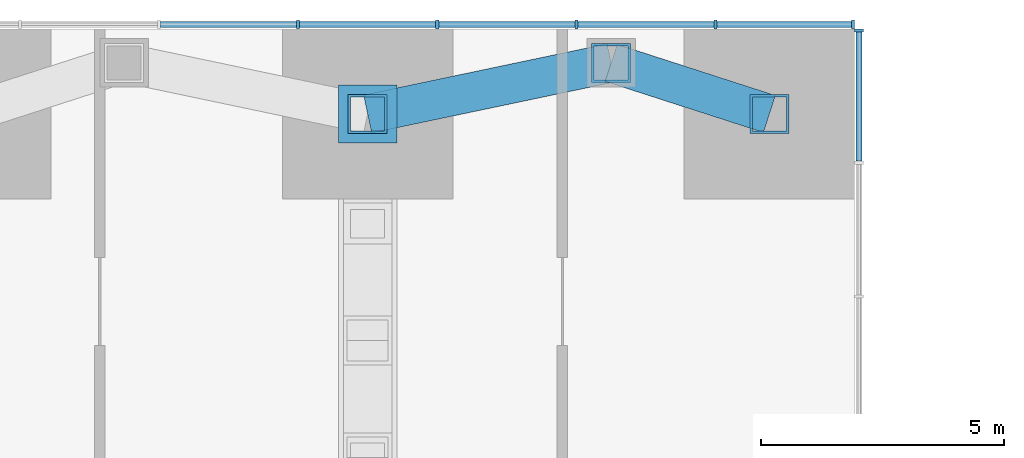
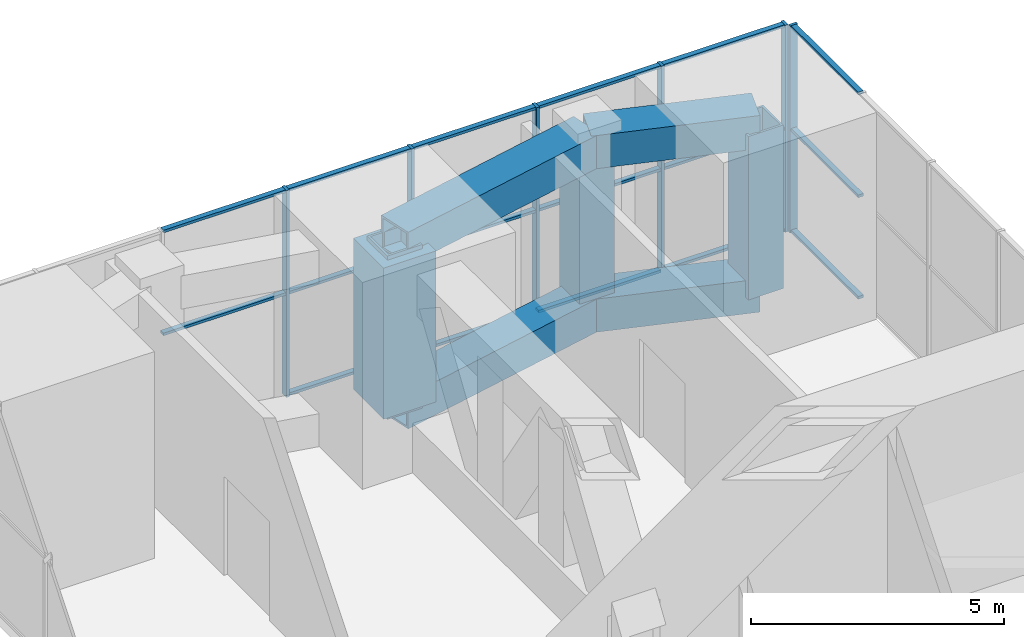
# One storey, part 7 of 12: 31 members, 2 elements without a shape of their own.
"""IFC4 building model written with IfcOpenShell, lengths in metres."""

from ifc_helpers import new_model, si_unit, direction, frame, origin, origin_2d, place, context, subcontext, project, spatial, rectangle, hollow_rectangle, extrude, material, material_profile, profile_set, type_object, element, aggregate, save


model = new_model("IFC4")

# Units and contexts
model_context = context("Model", 3, precision=1e-05, world=origin(), true_north=direction((0.0, 1.0)))
body_context = subcontext(model_context, "Body", "Model", "MODEL_VIEW")
ifc_project = project(units=[si_unit("LENGTHUNIT", "METRE"), si_unit("AREAUNIT", "SQUARE_METRE"), si_unit("VOLUMEUNIT", "CUBIC_METRE"), si_unit("PLANEANGLEUNIT", "RADIAN"), si_unit("MASSUNIT", "GRAM", prefix="KILO")], contexts=[model_context])

# Site, building, storey
site_placement = place(None, origin())
site = spatial("IfcSite", under=ifc_project, at=site_placement, CompositionType="ELEMENT")
building_placement = place(site_placement, origin())
building = spatial("IfcBuilding", under=site, at=building_placement, Name="Svetlomir Tower", CompositionType="ELEMENT")
storey_placement = place(building_placement, frame((0.0, 0.0, 234.5)))
storey = spatial("IfcBuildingStorey", under=building, at=storey_placement, Name="L56", CompositionType="ELEMENT", Elevation=234.5)

# Members
ifc_material_1 = material(Name="Steel S355", Category="steel")
ifc_material_profile_1 = material_profile(ifc_material_1, hollow_rectangle(XDim=0.800048828125, YDim=0.800048828125, WallThickness=0.050048828125, at=origin_2d()), Name="BOX 800x800x50")
ifc_profile_set_1 = profile_set([ifc_material_profile_1], Name="Steel S355")
member_type_1 = type_object("IfcMemberType", Name="BELT FRAME CHORD BOX 800x800x50", PredefinedType="CHORD", material=ifc_profile_set_1)
for number, where, z_axis, x_axis, name in (
    (1, (21.0, 40.25, 0.39990234375), (0.978651574329, 0.205526387753, 0.0), (-0.205526387753, 0.978651574329, 0.0), "Belt frame N L56 bottom chord 3"),
    (2, (21.0, 40.25, 4.35009765625), (0.978651574329, 0.205526387753, 0.0), (-0.205526387753, 0.978651574329, 0.0), "Belt frame N L56 top chord 3"),
):
    element("IfcMember", number, at=place(storey_placement, frame(where, z_axis=z_axis, x_axis=x_axis)), inside=storey, type_object=member_type_1, Name=name, PredefinedType="CHORD", context=body_context, shape_type="SweptSolid", body=[
        extrude(hollow_rectangle(XDim=0.800048828125, YDim=0.800048828125, WallThickness=0.050048828125, at=origin_2d()), origin(), (0.0, 0.0, 1.0), 5.109130859375),
    ])
for number, where, z_axis, x_axis, name in (
    (3, (26.0, 41.300048828125, 0.39990234375), (0.951566360503, -0.307443428225, 0.0), (0.307443428225, 0.951566360503, 0.0), "Belt frame N L56 bottom chord 4"),
    (4, (26.0, 41.300048828125, 4.35009765625), (0.951566360503, -0.307443428225, 0.0), (0.307443428225, 0.951566360503, 0.0), "Belt frame N L56 top chord 4"),
):
    element("IfcMember", number, at=place(storey_placement, frame(where, z_axis=z_axis, x_axis=x_axis)), inside=storey, type_object=member_type_1, Name=name, PredefinedType="CHORD", context=body_context, shape_type="SweptSolid", body=[
        extrude(hollow_rectangle(XDim=0.800048828125, YDim=0.800048828125, WallThickness=0.050048828125, at=origin_2d()), origin(), (0.0, 0.0, 1.0), 3.41552734375),
    ])
ifc_material_2 = material(Name="Steel S355", Category="steel")
ifc_material_profile_2 = material_profile(ifc_material_2, hollow_rectangle(XDim=0.800048828125, YDim=0.800048828125, WallThickness=0.050048828125, at=origin_2d()), Name="BOX 800x800x50")
ifc_profile_set_2 = profile_set([ifc_material_profile_2], Name="Steel S355")
member_type_2 = type_object("IfcMemberType", Name="BELT FRAME POST BOX 800x800x50", PredefinedType="POST", material=ifc_profile_set_2)
for number, where, z_axis, x_axis, name in (
    (5, (21.0, 40.25, 0.39990234375), (0.0, 0.0, 1.0), (1.0, 0.0, 0.0), "Belt frame N L56 post 3"),
    (6, (26.0, 41.300048828125, 0.39990234375), (0.0, 0.0, 1.0), (1.0, 0.0, 0.0), "Belt frame N L56 post 4"),
    (7, (29.25, 40.25, 0.39990234375), (0.0, 0.0, 1.0), (1.0, 0.0, 0.0), "Belt frame N L56 post 5"),
):
    element("IfcMember", number, at=place(storey_placement, frame(where, z_axis=z_axis, x_axis=x_axis)), inside=storey, type_object=member_type_2, Name=name, PredefinedType="POST", context=body_context, shape_type="SweptSolid", body=[
        extrude(hollow_rectangle(XDim=0.800048828125, YDim=0.800048828125, WallThickness=0.050048828125, at=origin_2d()), origin(), (0.0, 0.0, 1.0), 3.9501953125),
    ])

# Curtain wall, member
ifc_material_3 = material(Name="Bronze anodised aluminium curtain wall", Category="aluminium")
curtain_wall_type = type_object("IfcCurtainWallType", Name="CURTAIN WALL CW3 PLANT LOUVRE", PredefinedType="NOTDEFINED", material=ifc_material_3)
curtain_wall_1_placement = place(storey_placement, origin())
curtain_wall_1 = element("IfcCurtainWall", 8, at=curtain_wall_1_placement, inside=storey, type_object=curtain_wall_type, Name="Curtain wall CW3 L56", PredefinedType="NOTDEFINED")
ifc_material_4 = material(Name="Bronze anodised aluminium", Category="aluminium")
ifc_material_profile_3 = material_profile(ifc_material_4, rectangle(XDim=0.06494140625, YDim=0.179931640625, at=origin_2d()), Name="AL 65x180")
ifc_profile_set_3 = profile_set([ifc_material_profile_3], Name="Bronze anodised aluminium 6063-T6")
member_type_3 = type_object("IfcMemberType", Name="CW3 MULLION 65x180", PredefinedType="MULLION", material=ifc_profile_set_3)
member_1_placement = place(storey_placement, frame((31.090087890625, 41.967529296875, 0.0), z_axis=(0.0, 0.0, 1.0), x_axis=(0.0, 1.0, 0.0)))
member_1 = element("IfcMember", 9, at=member_1_placement, type_object=member_type_3, Name="CW3 mullion 5", PredefinedType="MULLION", context=body_context, shape_type="SweptSolid", body=[
    extrude(rectangle(XDim=0.06494140625, YDim=0.179931640625, at=origin_2d()), origin(), (0.0, 0.0, 1.0), 5.0),
])

# Curtain wall, members
curtain_wall_2_placement = place(storey_placement, origin())
curtain_wall_2 = element("IfcCurtainWall", 10, at=curtain_wall_2_placement, inside=storey, type_object=curtain_wall_type, Name="Curtain wall CW3 L56", PredefinedType="NOTDEFINED")
member_2_placement = place(storey_placement, frame((30.967529296875, 42.090087890625, 0.0), z_axis=(0.0, 0.0, 1.0), x_axis=(-1.0, 0.0, 0.0)))
member_2 = element("IfcMember", 11, at=member_2_placement, type_object=member_type_3, Name="CW3 mullion 1", PredefinedType="MULLION", context=body_context, shape_type="SweptSolid", body=[
    extrude(rectangle(XDim=0.06494140625, YDim=0.179931640625, at=origin_2d()), origin(), (0.0, 0.0, 1.0), 5.0),
])
member_3_placement = place(storey_placement, frame((28.142822265625, 42.090087890625, 0.0), z_axis=(0.0, 0.0, 1.0), x_axis=(-1.0, 0.0, 0.0)))
member_3 = element("IfcMember", 12, at=member_3_placement, type_object=member_type_3, Name="CW3 mullion 2", PredefinedType="MULLION", context=body_context, shape_type="SweptSolid", body=[
    extrude(rectangle(XDim=0.06494140625, YDim=0.179931640625, at=origin_2d()), origin(), (0.0, 0.0, 1.0), 5.0),
])
member_4_placement = place(storey_placement, frame((25.28564453125, 42.090087890625, 0.0), z_axis=(0.0, 0.0, 1.0), x_axis=(-1.0, 0.0, 0.0)))
member_4 = element("IfcMember", 13, at=member_4_placement, type_object=member_type_3, Name="CW3 mullion 3", PredefinedType="MULLION", context=body_context, shape_type="SweptSolid", body=[
    extrude(rectangle(XDim=0.06494140625, YDim=0.179931640625, at=origin_2d()), origin(), (0.0, 0.0, 1.0), 5.0),
])
member_5_placement = place(storey_placement, frame((22.428466796875, 42.090087890625, 0.0), z_axis=(0.0, 0.0, 1.0), x_axis=(-1.0, 0.0, 0.0)))
member_5 = element("IfcMember", 14, at=member_5_placement, type_object=member_type_3, Name="CW3 mullion 4", PredefinedType="MULLION", context=body_context, shape_type="SweptSolid", body=[
    extrude(rectangle(XDim=0.06494140625, YDim=0.179931640625, at=origin_2d()), origin(), (0.0, 0.0, 1.0), 5.0),
])
member_6_placement = place(storey_placement, frame((19.571533203125, 42.090087890625, 0.0), z_axis=(0.0, 0.0, 1.0), x_axis=(-1.0, 0.0, 0.0)))
member_6 = element("IfcMember", 15, at=member_6_placement, type_object=member_type_3, Name="CW3 mullion 5", PredefinedType="MULLION", context=body_context, shape_type="SweptSolid", body=[
    extrude(rectangle(XDim=0.06494140625, YDim=0.179931640625, at=origin_2d()), origin(), (0.0, 0.0, 1.0), 5.0),
])

# Member
ifc_material_5 = material(Name="Bronze anodised aluminium", Category="aluminium")
ifc_material_profile_4 = material_profile(ifc_material_5, rectangle(XDim=0.1201171875, YDim=0.06494140625, at=origin_2d()), Name="AL 120x65")
ifc_profile_set_4 = profile_set([ifc_material_profile_4], Name="Bronze anodised aluminium 6063-T6")
member_type_4 = type_object("IfcMemberType", Name="CW3 TRANSOM 65x120", PredefinedType="USERDEFINED", material=ifc_profile_set_4)
member_7_placement = place(storey_placement, frame((31.090087890625, 39.282470703125, 0.032470703125), z_axis=(0.0, 1.0, 0.0), x_axis=(-1.0, 0.0, 0.0)))
member_7 = element("IfcMember", 16, at=member_7_placement, type_object=member_type_4, Name="CW3 transom 4.1", ObjectType="TRANSOM", PredefinedType="USERDEFINED", context=body_context, shape_type="SweptSolid", body=[
    extrude(rectangle(XDim=0.1201171875, YDim=0.06494140625, at=origin_2d()), origin(), (0.0, 0.0, 1.0), 2.652587890625),
])

member_8_placement = place(storey_placement, frame((31.090087890625, 39.282470703125, 2.483642578125), z_axis=(0.0, 1.0, 0.0), x_axis=(-1.0, 0.0, 0.0)))
member_8 = element("IfcMember", 17, at=member_8_placement, type_object=member_type_4, Name="CW3 transom 4.2", ObjectType="TRANSOM", PredefinedType="USERDEFINED", context=body_context, shape_type="SweptSolid", body=[
    extrude(rectangle(XDim=0.1201171875, YDim=0.06494140625, at=origin_2d()), origin(), (0.0, 0.0, 1.0), 2.652587890625),
])

member_9_placement = place(storey_placement, frame((31.090087890625, 39.282470703125, 4.967529296875), z_axis=(0.0, 1.0, 0.0), x_axis=(-1.0, 0.0, 0.0)))
member_9 = element("IfcMember", 18, at=member_9_placement, type_object=member_type_4, Name="CW3 transom 4.3", ObjectType="TRANSOM", PredefinedType="USERDEFINED", context=body_context, shape_type="SweptSolid", body=[
    extrude(rectangle(XDim=0.1201171875, YDim=0.06494140625, at=origin_2d()), origin(), (0.0, 0.0, 1.0), 2.652587890625),
])

aggregate(curtain_wall_1, [member_1, member_7, member_8, member_9])

member_10_placement = place(storey_placement, frame((30.93505859375, 42.090087890625, 0.032470703125), z_axis=(-1.0, 0.0, 0.0), x_axis=(0.0, -1.0, 0.0)))
member_10 = element("IfcMember", 19, at=member_10_placement, type_object=member_type_4, Name="CW3 transom 1.1", ObjectType="TRANSOM", PredefinedType="USERDEFINED", context=body_context, shape_type="SweptSolid", body=[
    extrude(rectangle(XDim=0.1201171875, YDim=0.06494140625, at=origin_2d()), origin(), (0.0, 0.0, 1.0), 2.759765625),
])

member_11_placement = place(storey_placement, frame((30.93505859375, 42.090087890625, 2.483642578125), z_axis=(-1.0, 0.0, 0.0), x_axis=(0.0, -1.0, 0.0)))
member_11 = element("IfcMember", 20, at=member_11_placement, type_object=member_type_4, Name="CW3 transom 1.2", ObjectType="TRANSOM", PredefinedType="USERDEFINED", context=body_context, shape_type="SweptSolid", body=[
    extrude(rectangle(XDim=0.1201171875, YDim=0.06494140625, at=origin_2d()), origin(), (0.0, 0.0, 1.0), 2.759765625),
])

member_12_placement = place(storey_placement, frame((30.93505859375, 42.090087890625, 4.967529296875), z_axis=(-1.0, 0.0, 0.0), x_axis=(0.0, -1.0, 0.0)))
member_12 = element("IfcMember", 21, at=member_12_placement, type_object=member_type_4, Name="CW3 transom 1.3", ObjectType="TRANSOM", PredefinedType="USERDEFINED", context=body_context, shape_type="SweptSolid", body=[
    extrude(rectangle(XDim=0.1201171875, YDim=0.06494140625, at=origin_2d()), origin(), (0.0, 0.0, 1.0), 2.759765625),
])

member_13_placement = place(storey_placement, frame((28.1103515625, 42.090087890625, 0.032470703125), z_axis=(-1.0, 0.0, 0.0), x_axis=(0.0, -1.0, 0.0)))
member_13 = element("IfcMember", 22, at=member_13_placement, type_object=member_type_4, Name="CW3 transom 2.1", ObjectType="TRANSOM", PredefinedType="USERDEFINED", context=body_context, shape_type="SweptSolid", body=[
    extrude(rectangle(XDim=0.1201171875, YDim=0.06494140625, at=origin_2d()), origin(), (0.0, 0.0, 1.0), 2.792236328125),
])

member_14_placement = place(storey_placement, frame((28.1103515625, 42.090087890625, 2.483642578125), z_axis=(-1.0, 0.0, 0.0), x_axis=(0.0, -1.0, 0.0)))
member_14 = element("IfcMember", 23, at=member_14_placement, type_object=member_type_4, Name="CW3 transom 2.2", ObjectType="TRANSOM", PredefinedType="USERDEFINED", context=body_context, shape_type="SweptSolid", body=[
    extrude(rectangle(XDim=0.1201171875, YDim=0.06494140625, at=origin_2d()), origin(), (0.0, 0.0, 1.0), 2.792236328125),
])

member_15_placement = place(storey_placement, frame((28.1103515625, 42.090087890625, 4.967529296875), z_axis=(-1.0, 0.0, 0.0), x_axis=(0.0, -1.0, 0.0)))
member_15 = element("IfcMember", 24, at=member_15_placement, type_object=member_type_4, Name="CW3 transom 2.3", ObjectType="TRANSOM", PredefinedType="USERDEFINED", context=body_context, shape_type="SweptSolid", body=[
    extrude(rectangle(XDim=0.1201171875, YDim=0.06494140625, at=origin_2d()), origin(), (0.0, 0.0, 1.0), 2.792236328125),
])

member_16_placement = place(storey_placement, frame((25.253173828125, 42.090087890625, 0.032470703125), z_axis=(-1.0, 0.0, 0.0), x_axis=(0.0, -1.0, 0.0)))
member_16 = element("IfcMember", 25, at=member_16_placement, type_object=member_type_4, Name="CW3 transom 3.1", ObjectType="TRANSOM", PredefinedType="USERDEFINED", context=body_context, shape_type="SweptSolid", body=[
    extrude(rectangle(XDim=0.1201171875, YDim=0.06494140625, at=origin_2d()), origin(), (0.0, 0.0, 1.0), 2.7919921875),
])

member_17_placement = place(storey_placement, frame((25.253173828125, 42.090087890625, 2.483642578125), z_axis=(-1.0, 0.0, 0.0), x_axis=(0.0, -1.0, 0.0)))
member_17 = element("IfcMember", 26, at=member_17_placement, type_object=member_type_4, Name="CW3 transom 3.2", ObjectType="TRANSOM", PredefinedType="USERDEFINED", context=body_context, shape_type="SweptSolid", body=[
    extrude(rectangle(XDim=0.1201171875, YDim=0.06494140625, at=origin_2d()), origin(), (0.0, 0.0, 1.0), 2.7919921875),
])

member_18_placement = place(storey_placement, frame((25.253173828125, 42.090087890625, 4.967529296875), z_axis=(-1.0, 0.0, 0.0), x_axis=(0.0, -1.0, 0.0)))
member_18 = element("IfcMember", 27, at=member_18_placement, type_object=member_type_4, Name="CW3 transom 3.3", ObjectType="TRANSOM", PredefinedType="USERDEFINED", context=body_context, shape_type="SweptSolid", body=[
    extrude(rectangle(XDim=0.1201171875, YDim=0.06494140625, at=origin_2d()), origin(), (0.0, 0.0, 1.0), 2.7919921875),
])

member_19_placement = place(storey_placement, frame((22.39599609375, 42.090087890625, 0.032470703125), z_axis=(-1.0, 0.0, 0.0), x_axis=(0.0, -1.0, 0.0)))
member_19 = element("IfcMember", 28, at=member_19_placement, type_object=member_type_4, Name="CW3 transom 4.1", ObjectType="TRANSOM", PredefinedType="USERDEFINED", context=body_context, shape_type="SweptSolid", body=[
    extrude(rectangle(XDim=0.1201171875, YDim=0.06494140625, at=origin_2d()), origin(), (0.0, 0.0, 1.0), 2.7919921875),
])

member_20_placement = place(storey_placement, frame((22.39599609375, 42.090087890625, 2.483642578125), z_axis=(-1.0, 0.0, 0.0), x_axis=(0.0, -1.0, 0.0)))
member_20 = element("IfcMember", 29, at=member_20_placement, type_object=member_type_4, Name="CW3 transom 4.2", ObjectType="TRANSOM", PredefinedType="USERDEFINED", context=body_context, shape_type="SweptSolid", body=[
    extrude(rectangle(XDim=0.1201171875, YDim=0.06494140625, at=origin_2d()), origin(), (0.0, 0.0, 1.0), 2.7919921875),
])

member_21_placement = place(storey_placement, frame((22.39599609375, 42.090087890625, 4.967529296875), z_axis=(-1.0, 0.0, 0.0), x_axis=(0.0, -1.0, 0.0)))
member_21 = element("IfcMember", 30, at=member_21_placement, type_object=member_type_4, Name="CW3 transom 4.3", ObjectType="TRANSOM", PredefinedType="USERDEFINED", context=body_context, shape_type="SweptSolid", body=[
    extrude(rectangle(XDim=0.1201171875, YDim=0.06494140625, at=origin_2d()), origin(), (0.0, 0.0, 1.0), 2.7919921875),
])

member_22_placement = place(storey_placement, frame((19.538818359375, 42.090087890625, 2.483642578125), z_axis=(-1.0, 0.0, 0.0), x_axis=(0.0, -1.0, 0.0)))
member_22 = element("IfcMember", 31, at=member_22_placement, type_object=member_type_4, Name="CW3 transom 5.2", ObjectType="TRANSOM", PredefinedType="USERDEFINED", context=body_context, shape_type="SweptSolid", body=[
    extrude(rectangle(XDim=0.1201171875, YDim=0.06494140625, at=origin_2d()), origin(), (0.0, 0.0, 1.0), 2.7919921875),
])

member_23_placement = place(storey_placement, frame((19.538818359375, 42.090087890625, 4.967529296875), z_axis=(-1.0, 0.0, 0.0), x_axis=(0.0, -1.0, 0.0)))
member_23 = element("IfcMember", 32, at=member_23_placement, type_object=member_type_4, Name="CW3 transom 5.3", ObjectType="TRANSOM", PredefinedType="USERDEFINED", context=body_context, shape_type="SweptSolid", body=[
    extrude(rectangle(XDim=0.1201171875, YDim=0.06494140625, at=origin_2d()), origin(), (0.0, 0.0, 1.0), 2.7919921875),
])

aggregate(curtain_wall_2, [member_2, member_3, member_4, member_5, member_6, member_10, member_11, member_12, member_13, member_14, member_15, member_16, member_17, member_18, member_19, member_20, member_21, member_22, member_23])

ifc_material_6 = material(Name="Steel S355", Category="steel")
ifc_material_profile_5 = material_profile(ifc_material_6, hollow_rectangle(XDim=1.199951171875, YDim=1.199951171875, WallThickness=0.199951171875, at=origin_2d()), Name="BOX 1200x1200x200")
ifc_profile_set_5 = profile_set([ifc_material_profile_5], Name="Steel S355")
member_type_5 = type_object("IfcMemberType", Name="OUTRIGGER END POST BOX 1200x1200x200", PredefinedType="POST", material=ifc_profile_set_5)
member_24_placement = place(storey_placement, frame((21.0, 40.25, 0.60009765625), z_axis=(0.0, 0.0, 1.0), x_axis=(1.0, 0.0, 0.0)))
element("IfcMember", 33, at=member_24_placement, inside=storey, type_object=member_type_5, Name="Outrigger N L56 end post", PredefinedType="POST", context=body_context, shape_type="SweptSolid", body=[
    extrude(hollow_rectangle(XDim=1.199951171875, YDim=1.199951171875, WallThickness=0.199951171875, at=origin_2d()), origin(), (0.0, 0.0, 1.0), 3.64990234375),
])

save(model, "model.ifc")
